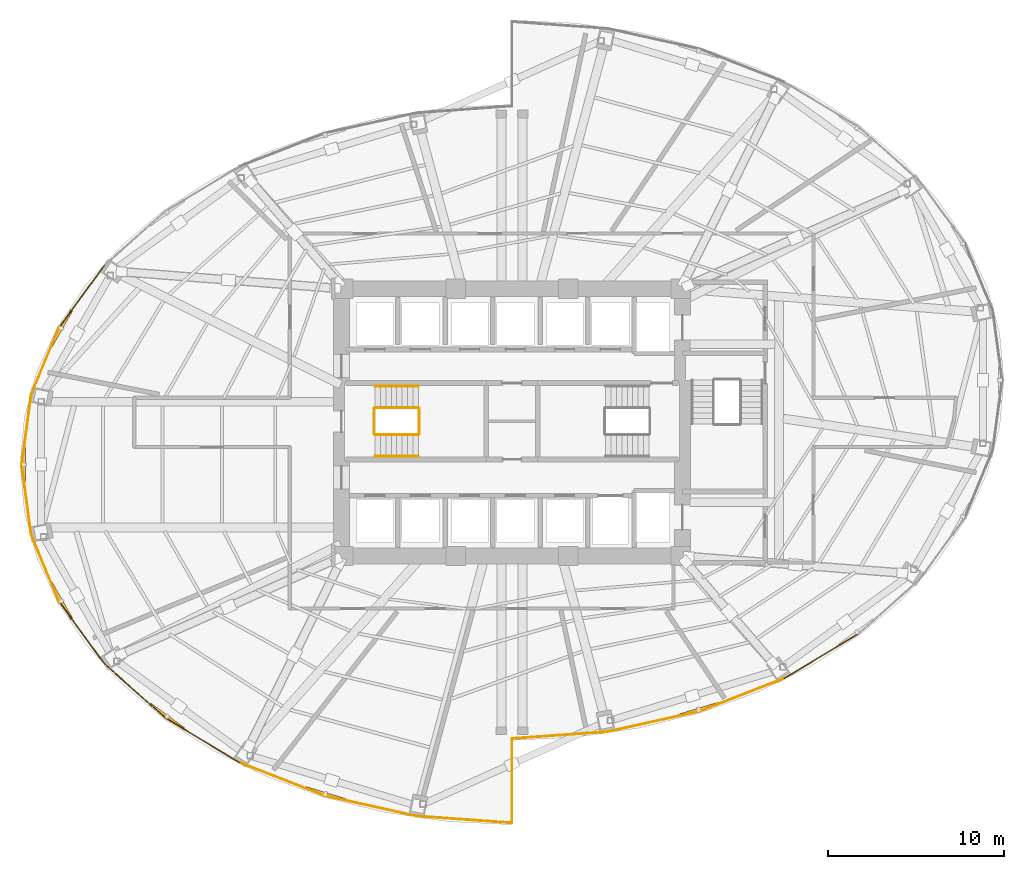
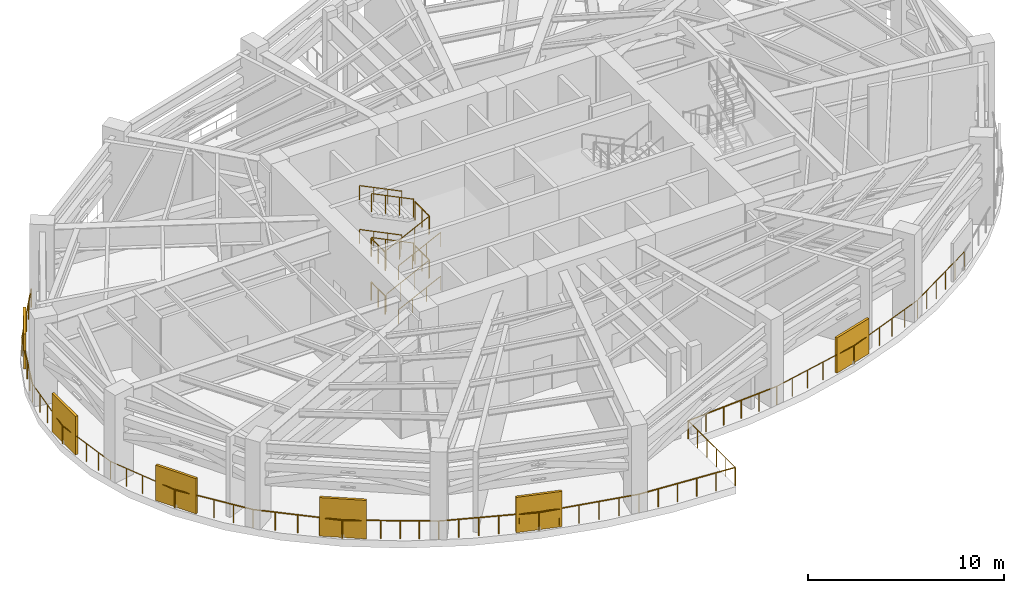
# One storey, part 12 of 14: 28 railings, 6 shading devices.
"""IFC4 building model written with IfcOpenShell, lengths in metres."""

from ifc_helpers import new_model, si_unit, direction, frame, origin, origin_2d, place, context, subcontext, project, spatial, rectangle, circle, extrude, material, type_object, element, save


model = new_model("IFC4")

# Units and contexts
model_context = context("Model", 3, precision=1e-05, world=origin(), true_north=direction((0.0, 1.0)))
body_context = subcontext(model_context, "Body", "Model", "MODEL_VIEW")
ifc_project = project(units=[si_unit("LENGTHUNIT", "METRE"), si_unit("AREAUNIT", "SQUARE_METRE"), si_unit("VOLUMEUNIT", "CUBIC_METRE"), si_unit("PLANEANGLEUNIT", "RADIAN"), si_unit("MASSUNIT", "GRAM", prefix="KILO")], contexts=[model_context])

# Site, building, storey
site_placement = place(None, origin())
site = spatial("IfcSite", under=ifc_project, at=site_placement, CompositionType="ELEMENT")
building_placement = place(site_placement, origin())
building = spatial("IfcBuilding", under=site, at=building_placement, Name="Lazwardi Medical Tower", CompositionType="ELEMENT")
storey_placement = place(building_placement, frame((0.0, 0.0, 76.27197265625)))
storey = spatial("IfcBuildingStorey", under=building, at=storey_placement, Name="L19", CompositionType="ELEMENT", Elevation=76.27197265625)

# Railings
ifc_material_1 = material(Name="Anodised bronze aluminium", Category="aluminium")
railing_type_1 = type_object("IfcRailingType", Name="RLG-BAL-1100", PredefinedType="BALUSTRADE", material=ifc_material_1)
railing_1_placement = place(storey_placement, frame((36.0, 10.0, 0.0)))
element("IfcRailing", 1, at=railing_1_placement, inside=storey, type_object=railing_type_1, Name="L19 Refuge Band Perimeter Balustrade 01", PredefinedType="BALUSTRADE", context=body_context, shape_type="SweptSolid", body=[
    extrude(circle(Radius=0.02392578125, at=origin_2d()), frame((0.0, 0.0, 1.1259765625), z_axis=(0.99741559839, 0.071847923347, 0.0), x_axis=(-0.071847923347, 0.99741559839, 0.0)), (0.0, 0.0, 1.0), 5.457275390625),
    extrude(circle(Radius=0.02099609375, at=origin_2d()), origin(), (0.0, 0.0, 1.0), 1.099853515625),
    extrude(circle(Radius=0.02099609375, at=origin_2d()), frame((1.088623046875, 0.078369140625, 0.0)), (0.0, 0.0, 1.0), 1.099853515625),
    extrude(circle(Radius=0.02099609375, at=origin_2d()), frame((2.17724609375, 0.15673828125, 0.0)), (0.0, 0.0, 1.0), 1.099853515625),
    extrude(circle(Radius=0.02099609375, at=origin_2d()), frame((3.265869140625, 0.2353515625, 0.0)), (0.0, 0.0, 1.0), 1.099853515625),
    extrude(circle(Radius=0.02099609375, at=origin_2d()), frame((4.3544921875, 0.313720703125, 0.0)), (0.0, 0.0, 1.0), 1.099853515625),
    extrude(circle(Radius=0.02099609375, at=origin_2d()), frame((5.443115234375, 0.39208984375, 0.0)), (0.0, 0.0, 1.0), 1.099853515625),
])
railing_2_placement = place(storey_placement, frame((41.443115234375, 10.39208984375, 0.0)))
element("IfcRailing", 2, at=railing_2_placement, inside=storey, type_object=railing_type_1, Name="L19 Refuge Band Perimeter Balustrade 02", PredefinedType="BALUSTRADE", context=body_context, shape_type="SweptSolid", body=[
    extrude(circle(Radius=0.02392578125, at=origin_2d()), frame((0.0, 0.0, 1.1259765625), z_axis=(0.976273774801, 0.216539873084, 0.0), x_axis=(-0.216539873084, 0.976273774801, 0.0)), (0.0, 0.0, 1.0), 5.361083984375),
    extrude(circle(Radius=0.02099609375, at=origin_2d()), origin(), (0.0, 0.0, 1.0), 1.099853515625),
    extrude(circle(Radius=0.02099609375, at=origin_2d()), frame((1.046875, 0.232177734375, 0.0)), (0.0, 0.0, 1.0), 1.099853515625),
    extrude(circle(Radius=0.02099609375, at=origin_2d()), frame((2.093505859375, 0.46435546875, 0.0)), (0.0, 0.0, 1.0), 1.099853515625),
    extrude(circle(Radius=0.02099609375, at=origin_2d()), frame((3.140380859375, 0.696533203125, 0.0)), (0.0, 0.0, 1.0), 1.099853515625),
    extrude(circle(Radius=0.02099609375, at=origin_2d()), frame((4.18701171875, 0.9287109375, 0.0)), (0.0, 0.0, 1.0), 1.099853515625),
    extrude(circle(Radius=0.02099609375, at=origin_2d()), frame((5.23388671875, 1.160888671875, 0.0)), (0.0, 0.0, 1.0), 1.099853515625),
])
railing_3_placement = place(storey_placement, frame((46.677001953125, 11.552978515625, 0.0)))
element("IfcRailing", 3, at=railing_3_placement, inside=storey, type_object=railing_type_1, Name="L19 Refuge Band Perimeter Balustrade 03", PredefinedType="BALUSTRADE", context=body_context, shape_type="SweptSolid", body=[
    extrude(circle(Radius=0.02392578125, at=origin_2d()), frame((0.0, 0.0, 1.1259765625), z_axis=(0.931402666758, 0.363990483881, 0.0), x_axis=(-0.363990483881, 0.931402666758, 0.0)), (0.0, 0.0, 1.0), 5.1787109375),
    extrude(circle(Radius=0.02099609375, at=origin_2d()), origin(), (0.0, 0.0, 1.0), 1.099853515625),
    extrude(circle(Radius=0.02099609375, at=origin_2d()), frame((0.964599609375, 0.376953125, 0.0)), (0.0, 0.0, 1.0), 1.099853515625),
    extrude(circle(Radius=0.02099609375, at=origin_2d()), frame((1.929443359375, 0.75390625, 0.0)), (0.0, 0.0, 1.0), 1.099853515625),
    extrude(circle(Radius=0.02099609375, at=origin_2d()), frame((2.89404296875, 1.131103515625, 0.0)), (0.0, 0.0, 1.0), 1.099853515625),
    extrude(circle(Radius=0.02099609375, at=origin_2d()), frame((3.85888671875, 1.508056640625, 0.0)), (0.0, 0.0, 1.0), 1.099853515625),
    extrude(circle(Radius=0.02099609375, at=origin_2d()), frame((4.823486328125, 1.885009765625, 0.0)), (0.0, 0.0, 1.0), 1.099853515625),
])
railing_4_placement = place(storey_placement, frame((51.50048828125, 13.43798828125, 0.0)))
element("IfcRailing", 4, at=railing_4_placement, inside=storey, type_object=railing_type_1, Name="L19 Refuge Band Perimeter Balustrade 04", PredefinedType="BALUSTRADE", context=body_context, shape_type="SweptSolid", body=[
    extrude(circle(Radius=0.02392578125, at=origin_2d()), frame((0.0, 0.0, 1.1259765625), z_axis=(0.857453602365, 0.514561288663, 0.0), x_axis=(-0.514561288663, 0.857453602365, 0.0)), (0.0, 0.0, 1.0), 4.9306640625),
    extrude(circle(Radius=0.02099609375, at=origin_2d()), origin(), (0.0, 0.0, 1.0), 1.099853515625),
    extrude(circle(Radius=0.02099609375, at=origin_2d()), frame((0.845458984375, 0.50732421875, 0.0)), (0.0, 0.0, 1.0), 1.099853515625),
    extrude(circle(Radius=0.02099609375, at=origin_2d()), frame((1.691162109375, 1.014892578125, 0.0)), (0.0, 0.0, 1.0), 1.099853515625),
    extrude(circle(Radius=0.02099609375, at=origin_2d()), frame((2.53662109375, 1.522216796875, 0.0)), (0.0, 0.0, 1.0), 1.099853515625),
    extrude(circle(Radius=0.02099609375, at=origin_2d()), frame((3.38232421875, 2.02978515625, 0.0)), (0.0, 0.0, 1.0), 1.099853515625),
    extrude(circle(Radius=0.02099609375, at=origin_2d()), frame((4.227783203125, 2.537109375, 0.0)), (0.0, 0.0, 1.0), 1.099853515625),
])
railing_5_placement = place(storey_placement, frame((12.802001953125, 36.93359375, 0.0)))
element("IfcRailing", 5, at=railing_5_placement, inside=storey, type_object=railing_type_1, Name="L19 Refuge Band Perimeter Balustrade 23", PredefinedType="BALUSTRADE", context=body_context, shape_type="SweptSolid", body=[
    extrude(circle(Radius=0.02392578125, at=origin_2d()), frame((0.0, 0.0, 1.1259765625), z_axis=(-0.590137081379, -0.807303056591, 0.0), x_axis=(0.807303056591, -0.590137081379, 0.0)), (0.0, 0.0, 1.0), 4.36865234375),
    extrude(circle(Radius=0.02099609375, at=origin_2d()), origin(), (0.0, 0.0, 1.0), 1.099853515625),
    extrude(circle(Radius=0.02099609375, at=origin_2d()), frame((-0.64453125, -0.8818359375, 0.0)), (0.0, 0.0, 1.0), 1.099853515625),
    extrude(circle(Radius=0.02099609375, at=origin_2d()), frame((-1.2890625, -1.763427734375, 0.0)), (0.0, 0.0, 1.0), 1.099853515625),
    extrude(circle(Radius=0.02099609375, at=origin_2d()), frame((-1.93359375, -2.64501953125, 0.0)), (0.0, 0.0, 1.0), 1.099853515625),
    extrude(circle(Radius=0.02099609375, at=origin_2d()), frame((-2.578125, -3.52685546875, 0.0)), (0.0, 0.0, 1.0), 1.099853515625),
])
railing_6_placement = place(storey_placement, frame((10.223876953125, 33.40673828125, 0.0)))
element("IfcRailing", 6, at=railing_6_placement, inside=storey, type_object=railing_type_1, Name="L19 Refuge Band Perimeter Balustrade 24", PredefinedType="BALUSTRADE", context=body_context, shape_type="SweptSolid", body=[
    extrude(circle(Radius=0.02392578125, at=origin_2d()), frame((0.0, 0.0, 1.1259765625), z_axis=(-0.383246791429, -0.923645980265, 0.0), x_axis=(0.923645980265, -0.383246791429, 0.0)), (0.0, 0.0, 1.0), 4.143310546875),
    extrude(circle(Radius=0.02099609375, at=origin_2d()), origin(), (0.0, 0.0, 1.0), 1.099853515625),
    extrude(circle(Radius=0.02099609375, at=origin_2d()), frame((-0.39697265625, -0.956787109375, 0.0)), (0.0, 0.0, 1.0), 1.099853515625),
    extrude(circle(Radius=0.02099609375, at=origin_2d()), frame((-0.7939453125, -1.91357421875, 0.0)), (0.0, 0.0, 1.0), 1.099853515625),
    extrude(circle(Radius=0.02099609375, at=origin_2d()), frame((-1.19091796875, -2.8701171875, 0.0)), (0.0, 0.0, 1.0), 1.099853515625),
    extrude(circle(Radius=0.02099609375, at=origin_2d()), frame((-1.587890625, -3.826904296875, 0.0)), (0.0, 0.0, 1.0), 1.099853515625),
])
railing_7_placement = place(storey_placement, frame((8.635986328125, 29.579833984375, 0.0)))
element("IfcRailing", 7, at=railing_7_placement, inside=storey, type_object=railing_type_1, Name="L19 Refuge Band Perimeter Balustrade 25", PredefinedType="BALUSTRADE", context=body_context, shape_type="SweptSolid", body=[
    extrude(circle(Radius=0.02392578125, at=origin_2d()), frame((0.0, 0.0, 1.1259765625), z_axis=(-0.133449908171, -0.991055559497, 0.0), x_axis=(0.991055559497, -0.133449908171, 0.0)), (0.0, 0.0, 1.0), 4.015625),
    extrude(circle(Radius=0.02099609375, at=origin_2d()), origin(), (0.0, 0.0, 1.0), 1.099853515625),
    extrude(circle(Radius=0.02099609375, at=origin_2d()), frame((-0.134033203125, -0.994873046875, 0.0)), (0.0, 0.0, 1.0), 1.099853515625),
    extrude(circle(Radius=0.02099609375, at=origin_2d()), frame((-0.26806640625, -1.98974609375, 0.0)), (0.0, 0.0, 1.0), 1.099853515625),
    extrude(circle(Radius=0.02099609375, at=origin_2d()), frame((-0.40185546875, -2.98486328125, 0.0)), (0.0, 0.0, 1.0), 1.099853515625),
    extrude(circle(Radius=0.02099609375, at=origin_2d()), frame((-0.535888671875, -3.979736328125, 0.0)), (0.0, 0.0, 1.0), 1.099853515625),
])
railing_8_placement = place(storey_placement, frame((8.10009765625, 25.60009765625, 0.0)))
element("IfcRailing", 8, at=railing_8_placement, inside=storey, type_object=railing_type_1, Name="L19 Refuge Band Perimeter Balustrade 26", PredefinedType="BALUSTRADE", context=body_context, shape_type="SweptSolid", body=[
    extrude(circle(Radius=0.02392578125, at=origin_2d()), frame((0.0, 0.0, 1.1259765625), z_axis=(0.133441867837, -0.991056642129, 0.0), x_axis=(0.991056642129, 0.133441867837, 0.0)), (0.0, 0.0, 1.0), 4.015869140625),
    extrude(circle(Radius=0.02099609375, at=origin_2d()), origin(), (0.0, 0.0, 1.0), 1.099853515625),
    extrude(circle(Radius=0.02099609375, at=origin_2d()), frame((0.134033203125, -0.9951171875, 0.0)), (0.0, 0.0, 1.0), 1.099853515625),
    extrude(circle(Radius=0.02099609375, at=origin_2d()), frame((0.26806640625, -1.989990234375, 0.0)), (0.0, 0.0, 1.0), 1.099853515625),
    extrude(circle(Radius=0.02099609375, at=origin_2d()), frame((0.40185546875, -2.98486328125, 0.0)), (0.0, 0.0, 1.0), 1.099853515625),
    extrude(circle(Radius=0.02099609375, at=origin_2d()), frame((0.535888671875, -3.97998046875, 0.0)), (0.0, 0.0, 1.0), 1.099853515625),
])
railing_9_placement = place(storey_placement, frame((8.635986328125, 21.6201171875, 0.0)))
element("IfcRailing", 9, at=railing_9_placement, inside=storey, type_object=railing_type_1, Name="L19 Refuge Band Perimeter Balustrade 27", PredefinedType="BALUSTRADE", context=body_context, shape_type="SweptSolid", body=[
    extrude(circle(Radius=0.02392578125, at=origin_2d()), frame((0.0, 0.0, 1.1259765625), z_axis=(0.383246791429, -0.923645980265, 0.0), x_axis=(0.923645980265, 0.383246791429, 0.0)), (0.0, 0.0, 1.0), 4.143310546875),
    extrude(circle(Radius=0.02099609375, at=origin_2d()), origin(), (0.0, 0.0, 1.0), 1.099853515625),
    extrude(circle(Radius=0.02099609375, at=origin_2d()), frame((0.39697265625, -0.956787109375, 0.0)), (0.0, 0.0, 1.0), 1.099853515625),
    extrude(circle(Radius=0.02099609375, at=origin_2d()), frame((0.7939453125, -1.91357421875, 0.0)), (0.0, 0.0, 1.0), 1.099853515625),
    extrude(circle(Radius=0.02099609375, at=origin_2d()), frame((1.19091796875, -2.8701171875, 0.0)), (0.0, 0.0, 1.0), 1.099853515625),
    extrude(circle(Radius=0.02099609375, at=origin_2d()), frame((1.587890625, -3.826904296875, 0.0)), (0.0, 0.0, 1.0), 1.099853515625),
])
railing_10_placement = place(storey_placement, frame((10.223876953125, 17.793212890625, 0.0)))
element("IfcRailing", 10, at=railing_10_placement, inside=storey, type_object=railing_type_1, Name="L19 Refuge Band Perimeter Balustrade 28", PredefinedType="BALUSTRADE", context=body_context, shape_type="SweptSolid", body=[
    extrude(circle(Radius=0.02392578125, at=origin_2d()), frame((0.0, 0.0, 1.1259765625), z_axis=(0.590137081379, -0.807303056591, 0.0), x_axis=(0.807303056591, 0.590137081379, 0.0)), (0.0, 0.0, 1.0), 4.36865234375),
    extrude(circle(Radius=0.02099609375, at=origin_2d()), origin(), (0.0, 0.0, 1.0), 1.099853515625),
    extrude(circle(Radius=0.02099609375, at=origin_2d()), frame((0.64453125, -0.8818359375, 0.0)), (0.0, 0.0, 1.0), 1.099853515625),
    extrude(circle(Radius=0.02099609375, at=origin_2d()), frame((1.2890625, -1.763427734375, 0.0)), (0.0, 0.0, 1.0), 1.099853515625),
    extrude(circle(Radius=0.02099609375, at=origin_2d()), frame((1.93359375, -2.64501953125, 0.0)), (0.0, 0.0, 1.0), 1.099853515625),
    extrude(circle(Radius=0.02099609375, at=origin_2d()), frame((2.578125, -3.52685546875, 0.0)), (0.0, 0.0, 1.0), 1.099853515625),
])
railing_11_placement = place(storey_placement, frame((12.802001953125, 14.266357421875, 0.0)))
element("IfcRailing", 11, at=railing_11_placement, inside=storey, type_object=railing_type_1, Name="L19 Refuge Band Perimeter Balustrade 29", PredefinedType="BALUSTRADE", context=body_context, shape_type="SweptSolid", body=[
    extrude(circle(Radius=0.02392578125, at=origin_2d()), frame((0.0, 0.0, 1.1259765625), z_axis=(0.74664940554, -0.665217757736, 0.0), x_axis=(0.665217757736, 0.74664940554, 0.0)), (0.0, 0.0, 1.0), 4.64697265625),
    extrude(circle(Radius=0.02099609375, at=origin_2d()), origin(), (0.0, 0.0, 1.0), 1.099853515625),
    extrude(circle(Radius=0.02099609375, at=origin_2d()), frame((0.867431640625, -0.77294921875, 0.0)), (0.0, 0.0, 1.0), 1.099853515625),
    extrude(circle(Radius=0.02099609375, at=origin_2d()), frame((1.73486328125, -1.545654296875, 0.0)), (0.0, 0.0, 1.0), 1.099853515625),
    extrude(circle(Radius=0.02099609375, at=origin_2d()), frame((2.602294921875, -2.318359375, 0.0)), (0.0, 0.0, 1.0), 1.099853515625),
    extrude(circle(Radius=0.02099609375, at=origin_2d()), frame((3.4697265625, -3.09130859375, 0.0)), (0.0, 0.0, 1.0), 1.099853515625),
])
railing_12_placement = place(storey_placement, frame((16.271728515625, 11.175048828125, 0.0)))
element("IfcRailing", 12, at=railing_12_placement, inside=storey, type_object=railing_type_1, Name="L19 Refuge Band Perimeter Balustrade 30", PredefinedType="BALUSTRADE", context=body_context, shape_type="SweptSolid", body=[
    extrude(circle(Radius=0.02392578125, at=origin_2d()), frame((0.0, 0.0, 1.1259765625), z_axis=(0.857453602365, -0.514561288663, 0.0), x_axis=(0.514561288663, 0.857453602365, 0.0)), (0.0, 0.0, 1.0), 4.9306640625),
    extrude(circle(Radius=0.02099609375, at=origin_2d()), origin(), (0.0, 0.0, 1.0), 1.099853515625),
    extrude(circle(Radius=0.02099609375, at=origin_2d()), frame((0.845458984375, -0.50732421875, 0.0)), (0.0, 0.0, 1.0), 1.099853515625),
    extrude(circle(Radius=0.02099609375, at=origin_2d()), frame((1.691162109375, -1.014892578125, 0.0)), (0.0, 0.0, 1.0), 1.099853515625),
    extrude(circle(Radius=0.02099609375, at=origin_2d()), frame((2.53662109375, -1.522216796875, 0.0)), (0.0, 0.0, 1.0), 1.099853515625),
    extrude(circle(Radius=0.02099609375, at=origin_2d()), frame((3.38232421875, -2.02978515625, 0.0)), (0.0, 0.0, 1.0), 1.099853515625),
    extrude(circle(Radius=0.02099609375, at=origin_2d()), frame((4.227783203125, -2.537109375, 0.0)), (0.0, 0.0, 1.0), 1.099853515625),
])
railing_13_placement = place(storey_placement, frame((20.49951171875, 8.637939453125, 0.0)))
element("IfcRailing", 13, at=railing_13_placement, inside=storey, type_object=railing_type_1, Name="L19 Refuge Band Perimeter Balustrade 31", PredefinedType="BALUSTRADE", context=body_context, shape_type="SweptSolid", body=[
    extrude(circle(Radius=0.02392578125, at=origin_2d()), frame((0.0, 0.0, 1.1259765625), z_axis=(0.931402666758, -0.363990483881, 0.0), x_axis=(0.363990483881, 0.931402666758, 0.0)), (0.0, 0.0, 1.0), 5.1787109375),
    extrude(circle(Radius=0.02099609375, at=origin_2d()), origin(), (0.0, 0.0, 1.0), 1.099853515625),
    extrude(circle(Radius=0.02099609375, at=origin_2d()), frame((0.964599609375, -0.376953125, 0.0)), (0.0, 0.0, 1.0), 1.099853515625),
    extrude(circle(Radius=0.02099609375, at=origin_2d()), frame((1.929443359375, -0.75390625, 0.0)), (0.0, 0.0, 1.0), 1.099853515625),
    extrude(circle(Radius=0.02099609375, at=origin_2d()), frame((2.89404296875, -1.131103515625, 0.0)), (0.0, 0.0, 1.0), 1.099853515625),
    extrude(circle(Radius=0.02099609375, at=origin_2d()), frame((3.85888671875, -1.508056640625, 0.0)), (0.0, 0.0, 1.0), 1.099853515625),
    extrude(circle(Radius=0.02099609375, at=origin_2d()), frame((4.823486328125, -1.885009765625, 0.0)), (0.0, 0.0, 1.0), 1.099853515625),
])
railing_14_placement = place(storey_placement, frame((25.322998046875, 6.7529296875, 0.0)))
element("IfcRailing", 14, at=railing_14_placement, inside=storey, type_object=railing_type_1, Name="L19 Refuge Band Perimeter Balustrade 32", PredefinedType="BALUSTRADE", context=body_context, shape_type="SweptSolid", body=[
    extrude(circle(Radius=0.02392578125, at=origin_2d()), frame((0.0, 0.0, 1.1259765625), z_axis=(0.976273774801, -0.216539873084, 0.0), x_axis=(0.216539873084, 0.976273774801, 0.0)), (0.0, 0.0, 1.0), 5.361083984375),
    extrude(circle(Radius=0.02099609375, at=origin_2d()), origin(), (0.0, 0.0, 1.0), 1.099853515625),
    extrude(circle(Radius=0.02099609375, at=origin_2d()), frame((1.046875, -0.232177734375, 0.0)), (0.0, 0.0, 1.0), 1.099853515625),
    extrude(circle(Radius=0.02099609375, at=origin_2d()), frame((2.093505859375, -0.46435546875, 0.0)), (0.0, 0.0, 1.0), 1.099853515625),
    extrude(circle(Radius=0.02099609375, at=origin_2d()), frame((3.140380859375, -0.696533203125, 0.0)), (0.0, 0.0, 1.0), 1.099853515625),
    extrude(circle(Radius=0.02099609375, at=origin_2d()), frame((4.18701171875, -0.9287109375, 0.0)), (0.0, 0.0, 1.0), 1.099853515625),
    extrude(circle(Radius=0.02099609375, at=origin_2d()), frame((5.23388671875, -1.160888671875, 0.0)), (0.0, 0.0, 1.0), 1.099853515625),
])
railing_15_placement = place(storey_placement, frame((30.556884765625, 5.592041015625, 0.0)))
element("IfcRailing", 15, at=railing_15_placement, inside=storey, type_object=railing_type_1, Name="L19 Refuge Band Perimeter Balustrade 33", PredefinedType="BALUSTRADE", context=body_context, shape_type="SweptSolid", body=[
    extrude(circle(Radius=0.02392578125, at=origin_2d()), frame((0.0, 0.0, 1.1259765625), z_axis=(0.99741559839, -0.071847923347, 0.0), x_axis=(0.071847923347, 0.99741559839, 0.0)), (0.0, 0.0, 1.0), 5.457275390625),
    extrude(circle(Radius=0.02099609375, at=origin_2d()), origin(), (0.0, 0.0, 1.0), 1.099853515625),
    extrude(circle(Radius=0.02099609375, at=origin_2d()), frame((1.088623046875, -0.078369140625, 0.0)), (0.0, 0.0, 1.0), 1.099853515625),
    extrude(circle(Radius=0.02099609375, at=origin_2d()), frame((2.17724609375, -0.15673828125, 0.0)), (0.0, 0.0, 1.0), 1.099853515625),
    extrude(circle(Radius=0.02099609375, at=origin_2d()), frame((3.265869140625, -0.2353515625, 0.0)), (0.0, 0.0, 1.0), 1.099853515625),
    extrude(circle(Radius=0.02099609375, at=origin_2d()), frame((4.3544921875, -0.313720703125, 0.0)), (0.0, 0.0, 1.0), 1.099853515625),
    extrude(circle(Radius=0.02099609375, at=origin_2d()), frame((5.443115234375, -0.39208984375, 0.0)), (0.0, 0.0, 1.0), 1.099853515625),
])
railing_16_placement = place(storey_placement, frame((36.0, 5.199951171875, 0.0)))
element("IfcRailing", 16, at=railing_16_placement, inside=storey, type_object=railing_type_1, Name="L19 Refuge Band Perimeter Balustrade 34", PredefinedType="BALUSTRADE", context=body_context, shape_type="SweptSolid", body=[
    extrude(circle(Radius=0.02392578125, at=origin_2d()), frame((0.0, 0.0, 1.1259765625), z_axis=(0.0, 1.0, 0.0), x_axis=(-1.0, 0.0, 0.0)), (0.0, 0.0, 1.0), 4.800048828125),
    extrude(circle(Radius=0.02099609375, at=origin_2d()), origin(), (0.0, 0.0, 1.0), 1.099853515625),
    extrude(circle(Radius=0.02099609375, at=origin_2d()), frame((0.0, 0.9599609375, 0.0)), (0.0, 0.0, 1.0), 1.099853515625),
    extrude(circle(Radius=0.02099609375, at=origin_2d()), frame((0.0, 1.919921875, 0.0)), (0.0, 0.0, 1.0), 1.099853515625),
    extrude(circle(Radius=0.02099609375, at=origin_2d()), frame((0.0, 2.880126953125, 0.0)), (0.0, 0.0, 1.0), 1.099853515625),
    extrude(circle(Radius=0.02099609375, at=origin_2d()), frame((0.0, 3.840087890625, 0.0)), (0.0, 0.0, 1.0), 1.099853515625),
    extrude(circle(Radius=0.02099609375, at=origin_2d()), frame((0.0, 4.800048828125, 0.0)), (0.0, 0.0, 1.0), 1.099853515625),
])
ifc_material_2 = material(Name="Stainless steel Grade 316", Category="steel")
railing_type_2 = type_object("IfcRailingType", Name="RLG-GRD-1150", PredefinedType="GUARDRAIL", material=ifc_material_2)
railing_17_placement = place(storey_placement, frame((28.199951171875, 27.2900390625, 0.152099609375)))
element("IfcRailing", 17, at=railing_17_placement, inside=storey, type_object=railing_type_2, Name="L19 ST1 stair guard 1", PredefinedType="GUARDRAIL", context=body_context, shape_type="SweptSolid", body=[
    extrude(circle(Radius=0.02392578125, at=origin_2d()), frame((0.0, 0.0, 1.1259765625), z_axis=(0.897900171516, 0.0, 0.440199139018), x_axis=(0.0, 1.0, 0.0)), (0.0, 0.0, 1.0), 2.761962890625),
    extrude(circle(Radius=0.02099609375, at=origin_2d()), origin(), (0.0, 0.0, 1.0), 1.099853515625),
    extrude(circle(Radius=0.02099609375, at=origin_2d()), frame((0.82666015625, 0.0, 0.4052734375)), (0.0, 0.0, 1.0), 1.099853515625),
    extrude(circle(Radius=0.02099609375, at=origin_2d()), frame((1.6533203125, 0.0, 0.810546875)), (0.0, 0.0, 1.0), 1.099853515625),
    extrude(circle(Radius=0.02099609375, at=origin_2d()), frame((2.47998046875, 0.0, 1.2158203125)), (0.0, 0.0, 1.0), 1.099853515625),
])
railing_18_placement = place(storey_placement, frame((30.72998046875, 27.340087890625, 1.367919921875)))
element("IfcRailing", 18, at=railing_18_placement, inside=storey, type_object=railing_type_2, Name="L19 ST1 stair guard 2", PredefinedType="GUARDRAIL", context=body_context, shape_type="SweptSolid", body=[
    extrude(circle(Radius=0.02392578125, at=origin_2d()), frame((0.0, 0.0, 1.1259765625), z_axis=(0.0, 1.0, 0.0), x_axis=(-1.0, 0.0, 0.0)), (0.0, 0.0, 1.0), 1.43994140625),
    extrude(circle(Radius=0.02099609375, at=origin_2d()), origin(), (0.0, 0.0, 1.0), 1.099853515625),
    extrude(circle(Radius=0.02099609375, at=origin_2d()), frame((0.0, 0.719970703125, 0.0)), (0.0, 0.0, 1.0), 1.099853515625),
    extrude(circle(Radius=0.02099609375, at=origin_2d()), frame((0.0, 1.43994140625, 0.0)), (0.0, 0.0, 1.0), 1.099853515625),
])
railing_19_placement = place(storey_placement, frame((30.679931640625, 28.830078125, 1.52001953125)))
element("IfcRailing", 19, at=railing_19_placement, inside=storey, type_object=railing_type_2, Name="L19 ST1 stair guard 3", PredefinedType="GUARDRAIL", context=body_context, shape_type="SweptSolid", body=[
    extrude(circle(Radius=0.02392578125, at=origin_2d()), frame((0.0, 0.0, 1.1259765625), z_axis=(-0.897865232124, 0.0, 0.440270399804), x_axis=(0.0, -1.0, 0.0)), (0.0, 0.0, 1.0), 2.76220703125),
    extrude(circle(Radius=0.02099609375, at=origin_2d()), origin(), (0.0, 0.0, 1.0), 1.099853515625),
    extrude(circle(Radius=0.02099609375, at=origin_2d()), frame((-0.82666015625, 0.0, 0.4052734375)), (0.0, 0.0, 1.0), 1.099853515625),
    extrude(circle(Radius=0.02099609375, at=origin_2d()), frame((-1.6533203125, 0.0, 0.810791015625)), (0.0, 0.0, 1.0), 1.099853515625),
    extrude(circle(Radius=0.02099609375, at=origin_2d()), frame((-2.47998046875, 0.0, 1.216064453125)), (0.0, 0.0, 1.0), 1.099853515625),
])
railing_20_placement = place(storey_placement, frame((28.14990234375, 27.340087890625, 2.736083984375)))
element("IfcRailing", 20, at=railing_20_placement, inside=storey, type_object=railing_type_2, Name="L19 ST1 stair guard 4", PredefinedType="GUARDRAIL", context=body_context, shape_type="SweptSolid", body=[
    extrude(circle(Radius=0.02392578125, at=origin_2d()), frame((0.0, 0.0, 1.1259765625), z_axis=(0.0, 1.0, 0.0), x_axis=(-1.0, 0.0, 0.0)), (0.0, 0.0, 1.0), 1.43994140625),
    extrude(circle(Radius=0.02099609375, at=origin_2d()), origin(), (0.0, 0.0, 1.0), 1.099853515625),
    extrude(circle(Radius=0.02099609375, at=origin_2d()), frame((0.0, 0.719970703125, 0.0)), (0.0, 0.0, 1.0), 1.099853515625),
    extrude(circle(Radius=0.02099609375, at=origin_2d()), frame((0.0, 1.43994140625, 0.0)), (0.0, 0.0, 1.0), 1.099853515625),
])
railing_21_placement = place(storey_placement, frame((28.199951171875, 27.2900390625, 2.887939453125)))
element("IfcRailing", 21, at=railing_21_placement, inside=storey, type_object=railing_type_2, Name="L19 ST1 stair guard 5", PredefinedType="GUARDRAIL", context=body_context, shape_type="SweptSolid", body=[
    extrude(circle(Radius=0.02392578125, at=origin_2d()), frame((0.0, 0.0, 1.1259765625), z_axis=(0.897865232124, 0.0, 0.440270399804), x_axis=(0.0, 1.0, 0.0)), (0.0, 0.0, 1.0), 2.76220703125),
    extrude(circle(Radius=0.02099609375, at=origin_2d()), origin(), (0.0, 0.0, 1.0), 1.099853515625),
    extrude(circle(Radius=0.02099609375, at=origin_2d()), frame((0.82666015625, 0.0, 0.4052734375)), (0.0, 0.0, 1.0), 1.099853515625),
    extrude(circle(Radius=0.02099609375, at=origin_2d()), frame((1.6533203125, 0.0, 0.810791015625)), (0.0, 0.0, 1.0), 1.099853515625),
    extrude(circle(Radius=0.02099609375, at=origin_2d()), frame((2.47998046875, 0.0, 1.216064453125)), (0.0, 0.0, 1.0), 1.099853515625),
])
railing_22_placement = place(storey_placement, frame((30.72998046875, 27.340087890625, 4.10400390625)))
element("IfcRailing", 22, at=railing_22_placement, inside=storey, type_object=railing_type_2, Name="L19 ST1 stair guard 6", PredefinedType="GUARDRAIL", context=body_context, shape_type="SweptSolid", body=[
    extrude(circle(Radius=0.02392578125, at=origin_2d()), frame((0.0, 0.0, 1.1259765625), z_axis=(0.0, 1.0, 0.0), x_axis=(-1.0, 0.0, 0.0)), (0.0, 0.0, 1.0), 1.43994140625),
    extrude(circle(Radius=0.02099609375, at=origin_2d()), origin(), (0.0, 0.0, 1.0), 1.099853515625),
    extrude(circle(Radius=0.02099609375, at=origin_2d()), frame((0.0, 0.719970703125, 0.0)), (0.0, 0.0, 1.0), 1.099853515625),
    extrude(circle(Radius=0.02099609375, at=origin_2d()), frame((0.0, 1.43994140625, 0.0)), (0.0, 0.0, 1.0), 1.099853515625),
])
railing_23_placement = place(storey_placement, frame((30.679931640625, 28.830078125, 4.256103515625)))
element("IfcRailing", 23, at=railing_23_placement, inside=storey, type_object=railing_type_2, Name="L19 ST1 stair guard 7", PredefinedType="GUARDRAIL", context=body_context, shape_type="SweptSolid", body=[
    extrude(circle(Radius=0.02392578125, at=origin_2d()), frame((0.0, 0.0, 1.1259765625), z_axis=(-0.897900171516, 0.0, 0.440199139018), x_axis=(0.0, -1.0, 0.0)), (0.0, 0.0, 1.0), 2.761962890625),
    extrude(circle(Radius=0.02099609375, at=origin_2d()), origin(), (0.0, 0.0, 1.0), 1.099853515625),
    extrude(circle(Radius=0.02099609375, at=origin_2d()), frame((-0.82666015625, 0.0, 0.4052734375)), (0.0, 0.0, 1.0), 1.099853515625),
    extrude(circle(Radius=0.02099609375, at=origin_2d()), frame((-1.6533203125, 0.0, 0.810546875)), (0.0, 0.0, 1.0), 1.099853515625),
    extrude(circle(Radius=0.02099609375, at=origin_2d()), frame((-2.47998046875, 0.0, 1.2158203125)), (0.0, 0.0, 1.0), 1.099853515625),
])
railing_24_placement = place(storey_placement, frame((28.14990234375, 27.340087890625, 0.0)))
element("IfcRailing", 24, at=railing_24_placement, inside=storey, type_object=railing_type_2, Name="L19 ST1 stair guard 8", PredefinedType="GUARDRAIL", context=body_context, shape_type="SweptSolid", body=[
    extrude(circle(Radius=0.02392578125, at=origin_2d()), frame((0.0, 0.0, 1.1259765625), z_axis=(0.0, 1.0, 0.0), x_axis=(-1.0, 0.0, 0.0)), (0.0, 0.0, 1.0), 1.43994140625),
    extrude(circle(Radius=0.02099609375, at=origin_2d()), origin(), (0.0, 0.0, 1.0), 1.099853515625),
    extrude(circle(Radius=0.02099609375, at=origin_2d()), frame((0.0, 0.719970703125, 0.0)), (0.0, 0.0, 1.0), 1.099853515625),
    extrude(circle(Radius=0.02099609375, at=origin_2d()), frame((0.0, 1.43994140625, 0.0)), (0.0, 0.0, 1.0), 1.099853515625),
])
railing_type_3 = type_object("IfcRailingType", Name="RLG-HND-920", PredefinedType="HANDRAIL", material=ifc_material_2)
railing_25_placement = place(storey_placement, frame((28.199951171875, 26.070068359375, 0.152099609375)))
element("IfcRailing", 25, at=railing_25_placement, inside=storey, type_object=railing_type_3, Name="L19 ST1 stair handrail 1", PredefinedType="HANDRAIL", context=body_context, shape_type="SweptSolid", body=[
    extrude(circle(Radius=0.02392578125, at=origin_2d()), frame((0.0, 0.0, 0.8857421875), z_axis=(0.897900171516, 0.0, 0.440199139018), x_axis=(0.0, 1.0, 0.0)), (0.0, 0.0, 1.0), 2.761962890625),
    extrude(circle(Radius=0.02099609375, at=origin_2d()), origin(), (0.0, 0.0, 1.0), 0.85986328125),
    extrude(circle(Radius=0.02099609375, at=origin_2d()), frame((0.82666015625, 0.0, 0.4052734375)), (0.0, 0.0, 1.0), 0.85986328125),
    extrude(circle(Radius=0.02099609375, at=origin_2d()), frame((1.6533203125, 0.0, 0.810546875)), (0.0, 0.0, 1.0), 0.85986328125),
    extrude(circle(Radius=0.02099609375, at=origin_2d()), frame((2.47998046875, 0.0, 1.2158203125)), (0.0, 0.0, 1.0), 0.85986328125),
])
railing_26_placement = place(storey_placement, frame((30.679931640625, 30.050048828125, 1.52001953125)))
element("IfcRailing", 26, at=railing_26_placement, inside=storey, type_object=railing_type_3, Name="L19 ST1 stair handrail 2", PredefinedType="HANDRAIL", context=body_context, shape_type="SweptSolid", body=[
    extrude(circle(Radius=0.02392578125, at=origin_2d()), frame((0.0, 0.0, 0.8857421875), z_axis=(-0.897865232124, 0.0, 0.440270399804), x_axis=(0.0, -1.0, 0.0)), (0.0, 0.0, 1.0), 2.76220703125),
    extrude(circle(Radius=0.02099609375, at=origin_2d()), origin(), (0.0, 0.0, 1.0), 0.85986328125),
    extrude(circle(Radius=0.02099609375, at=origin_2d()), frame((-0.82666015625, 0.0, 0.4052734375)), (0.0, 0.0, 1.0), 0.85986328125),
    extrude(circle(Radius=0.02099609375, at=origin_2d()), frame((-1.6533203125, 0.0, 0.810791015625)), (0.0, 0.0, 1.0), 0.85986328125),
    extrude(circle(Radius=0.02099609375, at=origin_2d()), frame((-2.47998046875, 0.0, 1.216064453125)), (0.0, 0.0, 1.0), 0.85986328125),
])
railing_27_placement = place(storey_placement, frame((28.199951171875, 26.070068359375, 2.887939453125)))
element("IfcRailing", 27, at=railing_27_placement, inside=storey, type_object=railing_type_3, Name="L19 ST1 stair handrail 3", PredefinedType="HANDRAIL", context=body_context, shape_type="SweptSolid", body=[
    extrude(circle(Radius=0.02392578125, at=origin_2d()), frame((0.0, 0.0, 0.8857421875), z_axis=(0.897865232124, 0.0, 0.440270399804), x_axis=(0.0, 1.0, 0.0)), (0.0, 0.0, 1.0), 2.76220703125),
    extrude(circle(Radius=0.02099609375, at=origin_2d()), origin(), (0.0, 0.0, 1.0), 0.85986328125),
    extrude(circle(Radius=0.02099609375, at=origin_2d()), frame((0.82666015625, 0.0, 0.4052734375)), (0.0, 0.0, 1.0), 0.85986328125),
    extrude(circle(Radius=0.02099609375, at=origin_2d()), frame((1.6533203125, 0.0, 0.810791015625)), (0.0, 0.0, 1.0), 0.85986328125),
    extrude(circle(Radius=0.02099609375, at=origin_2d()), frame((2.47998046875, 0.0, 1.216064453125)), (0.0, 0.0, 1.0), 0.85986328125),
])
railing_28_placement = place(storey_placement, frame((30.679931640625, 30.050048828125, 4.256103515625)))
element("IfcRailing", 28, at=railing_28_placement, inside=storey, type_object=railing_type_3, Name="L19 ST1 stair handrail 4", PredefinedType="HANDRAIL", context=body_context, shape_type="SweptSolid", body=[
    extrude(circle(Radius=0.02392578125, at=origin_2d()), frame((0.0, 0.0, 0.8857421875), z_axis=(-0.897900171516, 0.0, 0.440199139018), x_axis=(0.0, -1.0, 0.0)), (0.0, 0.0, 1.0), 2.761962890625),
    extrude(circle(Radius=0.02099609375, at=origin_2d()), origin(), (0.0, 0.0, 1.0), 0.85986328125),
    extrude(circle(Radius=0.02099609375, at=origin_2d()), frame((-0.82666015625, 0.0, 0.4052734375)), (0.0, 0.0, 1.0), 0.85986328125),
    extrude(circle(Radius=0.02099609375, at=origin_2d()), frame((-1.6533203125, 0.0, 0.810546875)), (0.0, 0.0, 1.0), 0.85986328125),
    extrude(circle(Radius=0.02099609375, at=origin_2d()), frame((-2.47998046875, 0.0, 1.2158203125)), (0.0, 0.0, 1.0), 0.85986328125),
])

# Shading devices
ifc_material_3 = material(Name="Anodised bronze aluminium storm louvre", Category="aluminium")
shading_device_type_1 = type_object("IfcShadingDeviceType", Name="SHD-LVR-01", PredefinedType="JALOUSIE", material=ifc_material_3)
for number, where, z_axis, x_axis, name in (
    (29, (46.62109375, 11.666259765625, 0.0), (0.0, 0.0, 1.0), (0.957133660406, 0.289646605568, 0.0), "L19 Tropical Storm Louvre 01"),
    (30, (10.3583984375, 33.35986328125, 0.0), (0.0, 0.0, 1.0), (-0.493193529244, -0.869919618535, 0.0), "L19 Tropical Storm Louvre 11"),
    (31, (10.3583984375, 17.840087890625, 0.0), (0.0, 0.0, 1.0), (0.493193529244, -0.869919618535, 0.0), "L19 Tropical Storm Louvre 13"),
    (32, (25.37890625, 6.8662109375, 0.0), (0.0, 0.0, 1.0), (0.957133660406, -0.289646605568, 0.0), "L19 Tropical Storm Louvre 15"),
):
    element("IfcShadingDevice", number, at=place(storey_placement, frame(where, z_axis=z_axis, x_axis=x_axis)), inside=storey, type_object=shading_device_type_1, Name=name, PredefinedType="JALOUSIE", context=body_context, shape_type="SweptSolid", body=[
        extrude(rectangle(XDim=2.39990234375, YDim=0.139892578125, at=origin_2d()), origin(), (0.0, 0.0, 1.0), 2.199951171875),
    ])
ifc_material_4 = material(Name="Perforated bronze girih solar screen", Category="aluminium")
shading_device_type_2 = type_object("IfcShadingDeviceType", Name="SHD-SCR-01", PredefinedType="USERDEFINED", material=ifc_material_4)
for number, where, z_axis, x_axis, name in (
    (33, (8.245849609375, 25.60009765625, 0.0), (0.0, 0.0, 1.0), (0.0, -1.0, 0.0), "L19 Bronze Girih Solar Screen 12"),
    (34, (16.374755859375, 11.26171875, 0.0), (0.0, 0.0, 1.0), (0.807455843175, -0.589928013678, 0.0), "L19 Bronze Girih Solar Screen 14"),
):
    element("IfcShadingDevice", number, at=place(storey_placement, frame(where, z_axis=z_axis, x_axis=x_axis)), inside=storey, type_object=shading_device_type_2, Name=name, ObjectType="SCREEN", PredefinedType="USERDEFINED", context=body_context, shape_type="SweptSolid", body=[
        extrude(rectangle(XDim=2.39990234375, YDim=0.139892578125, at=origin_2d()), origin(), (0.0, 0.0, 1.0), 2.39990234375),
    ])

save(model, "model.ifc")
